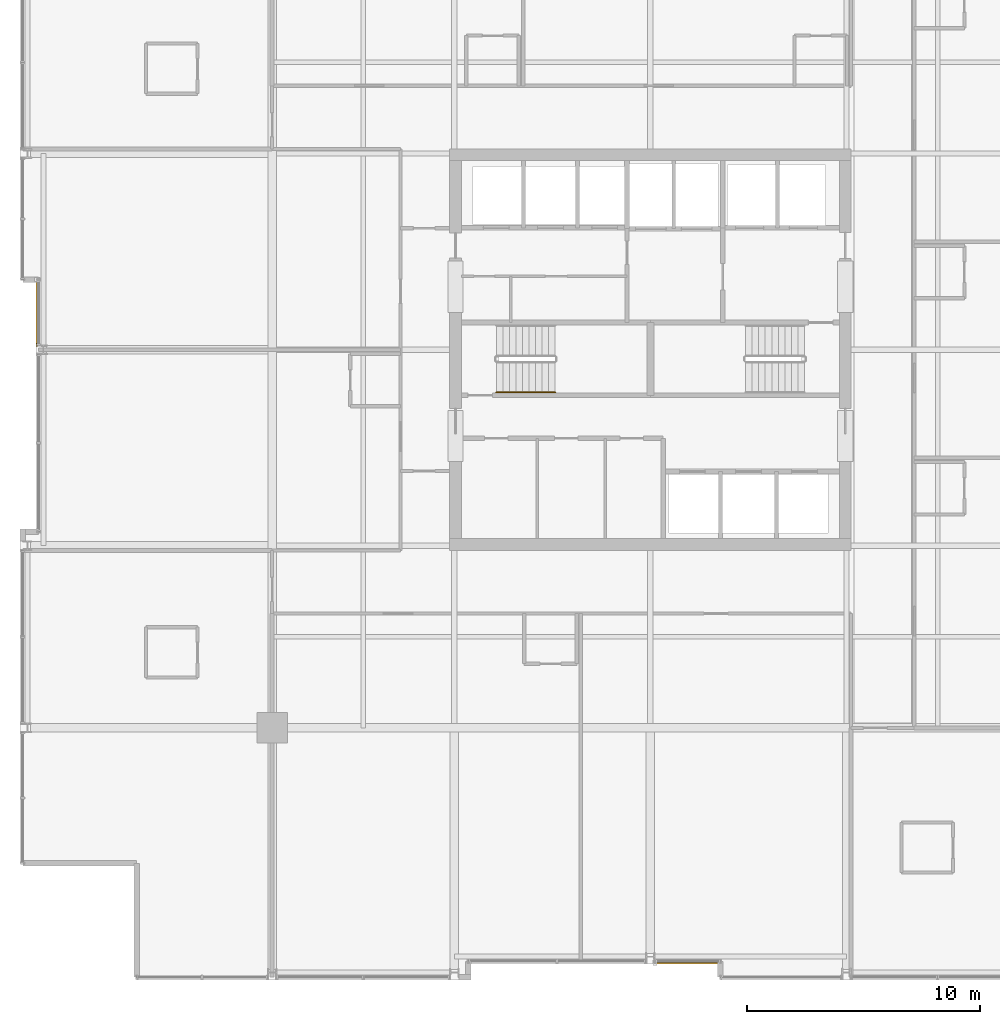
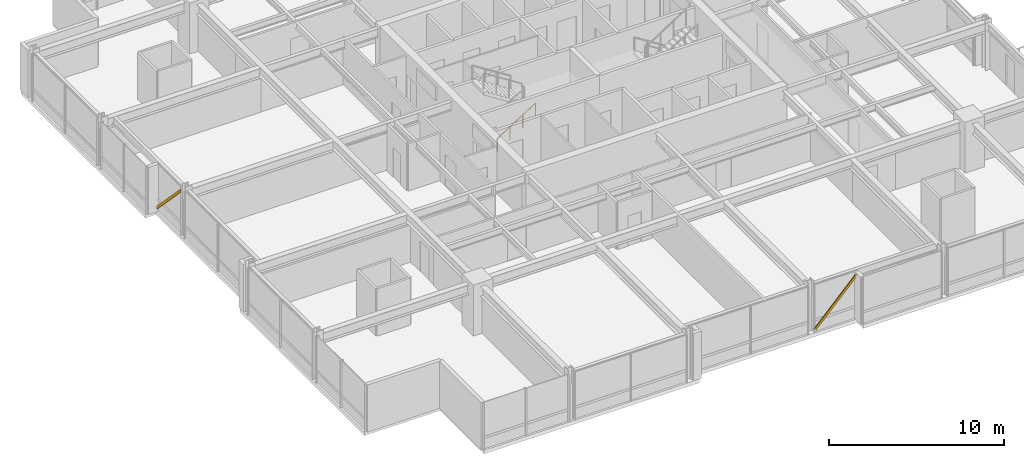
# One storey, part 31 of 33: 2 shading devices, 1 railing.
"""IFC4 building model written with IfcOpenShell, lengths in metres."""

from ifc_helpers import new_model, si_unit, direction, frame, origin, origin_2d, place, context, subcontext, project, spatial, hollow_rectangle, circle, extrude, material, material_profile, profile_set, type_object, element, save


model = new_model("IFC4")

# Units and contexts
model_context = context("Model", 3, precision=1e-05, world=origin(), true_north=direction((0.0, 1.0)))
body_context = subcontext(model_context, "Body", "Model", "MODEL_VIEW")
ifc_project = project(units=[si_unit("LENGTHUNIT", "METRE"), si_unit("AREAUNIT", "SQUARE_METRE"), si_unit("VOLUMEUNIT", "CUBIC_METRE"), si_unit("PLANEANGLEUNIT", "RADIAN"), si_unit("MASSUNIT", "GRAM", prefix="KILO")], contexts=[model_context])

# Site, building, storey
site_placement = place(None, origin())
site = spatial("IfcSite", under=ifc_project, at=site_placement, CompositionType="ELEMENT")
building_placement = place(site_placement, origin())
building = spatial("IfcBuilding", under=site, at=building_placement, Name="Drelvath Grand Hotel", CompositionType="ELEMENT")
storey_placement = place(building_placement, frame((0.0, 0.0, 168.14990234375)))
storey = spatial("IfcBuildingStorey", under=building, at=storey_placement, Name="L43", CompositionType="ELEMENT", Elevation=168.14990234375)

# Railing
ifc_material_1 = material(Name="Painted Steel S275", Category="steel")
railing_type = type_object("IfcRailingType", Name="Core Stair Wall Handrail 900", PredefinedType="HANDRAIL", material=ifc_material_1)
railing_placement = place(storey_placement, frame((-6.60009765625, 25.169921875, 0.177490234375)))
element("IfcRailing", 1, at=railing_placement, inside=storey, type_object=railing_type, Name="L43 ST-1 stair handrail 1", PredefinedType="HANDRAIL", context=body_context, shape_type="SweptSolid", body=[
    extrude(circle(Radius=0.02392578125, at=origin_2d()), frame((0.0, 0.0, 0.8759765625), z_axis=(0.84456994832, 0.0, 0.535445237532), x_axis=(0.0, 1.0, 0.0)), (0.0, 0.0, 1.0), 2.98388671875),
    extrude(circle(Radius=0.02099609375, at=origin_2d()), origin(), (0.0, 0.0, 1.0), 0.851806640625),
    extrude(circle(Radius=0.02099609375, at=origin_2d()), frame((0.840087890625, 0.0, 0.532470703125)), (0.0, 0.0, 1.0), 0.851806640625),
    extrude(circle(Radius=0.02099609375, at=origin_2d()), frame((1.679931640625, 0.0, 1.065185546875)), (0.0, 0.0, 1.0), 0.851806640625),
    extrude(circle(Radius=0.02099609375, at=origin_2d()), frame((2.52001953125, 0.0, 1.59765625)), (0.0, 0.0, 1.0), 0.851806640625),
])

# Shading devices
ifc_material_2 = material(Name="Brushed Pale-Silver Anodised Aluminium", Category="aluminium")
ifc_material_profile = material_profile(ifc_material_2, hollow_rectangle(XDim=0.06494140625, YDim=0.159912109375, WallThickness=0.00390625, at=origin_2d()), Name="HSS160X65X4")
ifc_profile_set = profile_set([ifc_material_profile], Name="Brushed Pale-Silver Anodised Aluminium")
shading_device_type = type_object("IfcShadingDeviceType", Name="Diagonal Solar Fin Pale-Silver Anodised HSS160X65X4", PredefinedType="USERDEFINED", material=ifc_profile_set)
for number, where, z_axis, x_axis, name in (
    (2, (-26.280029296875, 30.0, 0.18017578125), (0.0, -0.690869667708, 0.722979323523), (1.0, 0.0, 0.0), "L43 Diagonal Anodised Fin CW04-L43-WM2"),
    (3, (0.2001953125, 0.719970703125, 0.18017578125), (0.690869667708, 0.0, 0.722979323523), (0.0, 1.0, 0.0), "L43 Diagonal Anodised Fin CW04-L43-SM2"),
):
    element("IfcShadingDevice", number, at=place(storey_placement, frame(where, z_axis=z_axis, x_axis=x_axis)), inside=storey, type_object=shading_device_type, Name=name, ObjectType="FIN", PredefinedType="USERDEFINED", context=body_context, shape_type="SweptSolid", body=[
        extrude(hollow_rectangle(XDim=0.06494140625, YDim=0.159912109375, WallThickness=0.00390625, at=origin_2d()), origin(), (0.0, 0.0, 1.0), 4.052490234375),
    ])

save(model, "model.ifc")
